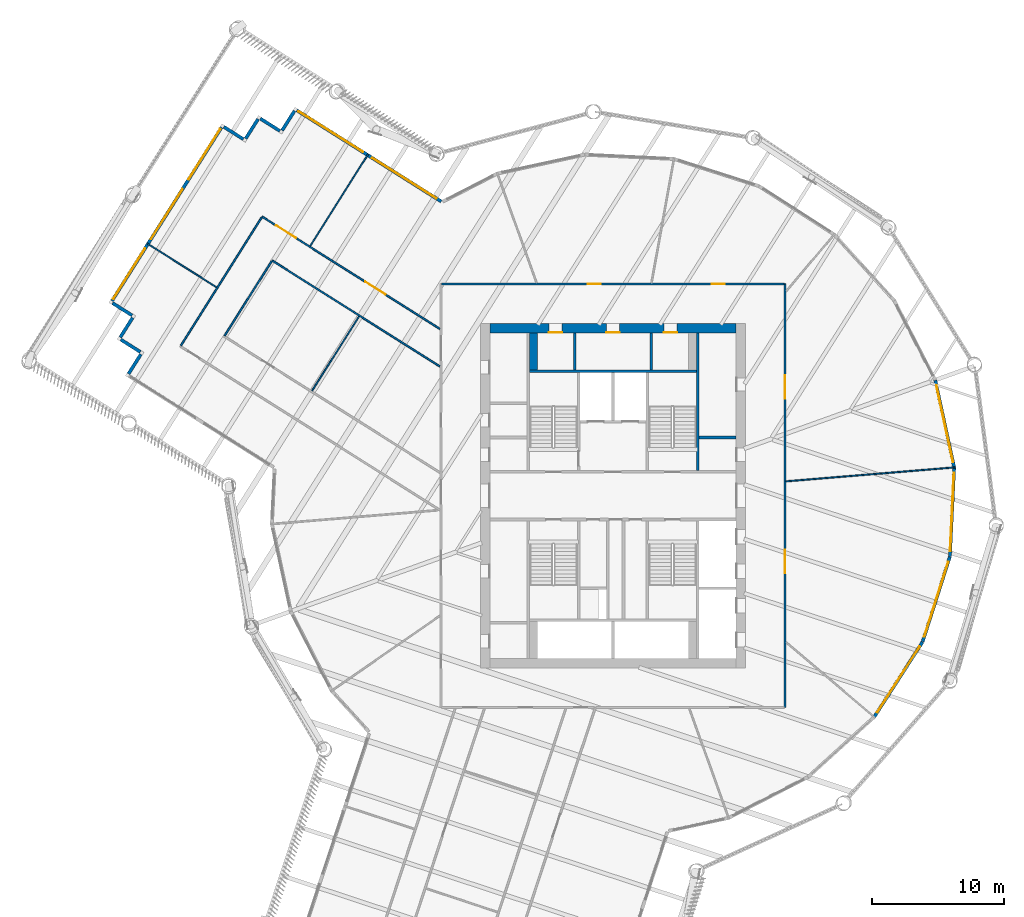
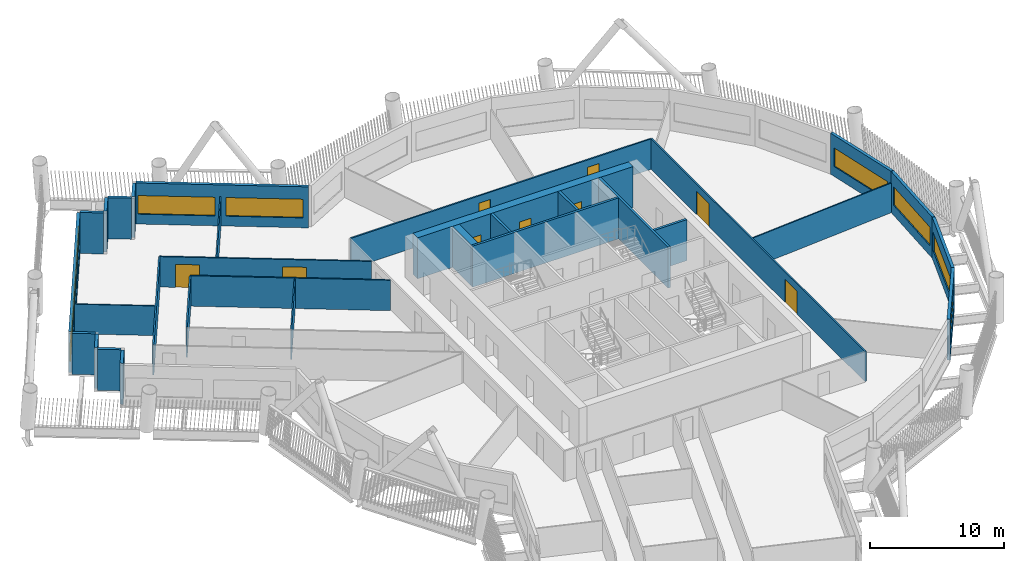
# One storey, part 6 of 22: 31 walls, 9 doors, 9 windows, 18 openings.
"""IFC4 building model written with IfcOpenShell, lengths in metres."""

from ifc_helpers import new_model, si_unit, direction, frame, frame_2d, origin, place, context, subcontext, project, spatial, rectangle, extrude, material, layer, layer_set, type_object, element, fill, save


model = new_model("IFC4")

# Units and contexts
model_context = context("Model", 3, precision=1e-05, world=origin(), true_north=direction((0.0, 1.0)))
body_context = subcontext(model_context, "Body", "Model", "MODEL_VIEW")
ifc_project = project(units=[si_unit("LENGTHUNIT", "METRE"), si_unit("AREAUNIT", "SQUARE_METRE"), si_unit("VOLUMEUNIT", "CUBIC_METRE"), si_unit("PLANEANGLEUNIT", "RADIAN"), si_unit("MASSUNIT", "GRAM", prefix="KILO")], contexts=[model_context])

# Site, building, storey
site_placement = place(None, origin())
site = spatial("IfcSite", under=ifc_project, at=site_placement, CompositionType="ELEMENT")
building_placement = place(site_placement, origin())
building = spatial("IfcBuilding", under=site, at=building_placement, Name="Tarsis Ring Headquarters", CompositionType="ELEMENT")
storey_placement = place(building_placement, frame((0.0, 0.0, 147.60009765625)))
storey = spatial("IfcBuildingStorey", under=building, at=storey_placement, Name="L33", CompositionType="ELEMENT", Elevation=147.60009765625)

# Walls
ifc_material_1 = material(Name="Blockwork", Category="masonry")
ifc_layer_1 = layer(ifc_material_1, 0.199951171875)
ifc_layer_set_1 = layer_set([ifc_layer_1], Name="Core blockwork wall 200")
wall_type_1 = type_object("IfcWallType", Name="Core blockwork wall 200", PredefinedType="PARTITIONING", material=ifc_layer_set_1)
for number, where, z_axis, x_axis, name in (
    (1, (6.5, 4.39990234375, 0.0), (0.0, 0.0, 1.0), (1.0, 0.0, 0.0), "Core partition ED5"),
    (2, (-2.89990234375, 9.5, 0.0), (0.0, 0.0, 1.0), (0.0, 1.0, 0.0), "Core partition ND1"),
    (3, (2.89990234375, 9.5, 0.0), (0.0, 0.0, 1.0), (0.0, 1.0, 0.0), "Core partition ND3"),
):
    element("IfcWall", number, at=place(storey_placement, frame(where, z_axis=z_axis, x_axis=x_axis)), inside=storey, type_object=wall_type_1, Name=name, PredefinedType="PARTITIONING", context=body_context, shape_type="SweptSolid", body=[
        extrude(rectangle(XDim=2.800048828125, YDim=0.199951171875, at=frame_2d((1.39990234375, 0.0))), origin(), (0.0, 0.0, 1.0), 3.739990234375),
    ])

# Wall, openings, doors
ifc_material_2 = material(Name="Concrete C60/75", Category="concrete")
ifc_layer_2 = layer(ifc_material_2, 0.699951171875)
ifc_layer_set_2 = layer_set([ifc_layer_2], Name="Core wall 700 C60/75")
wall_type_2 = type_object("IfcWallType", Name="Core wall 700 C60/75", PredefinedType="SHEAR", material=ifc_layer_set_2)
wall_1_placement = place(storey_placement, frame((-9.300048828125, 12.64990234375, 0.0), z_axis=(0.0, 0.0, 1.0), x_axis=(1.0, 0.0, 0.0)))
wall_1 = element("IfcWall", 4, at=wall_1_placement, inside=storey, type_object=wall_type_2, Name="Core wall ON", PredefinedType="SHEAR", context=body_context, shape_type="SweptSolid", body=[
    extrude(rectangle(XDim=18.60009765625, YDim=0.699951171875, at=frame_2d((9.300048828125, 0.0))), origin(), (0.0, 0.0, 1.0), 3.739990234375),
])
opening_1_placement = place(wall_1_placement, frame((4.449951171875, 0.0, 0.0)))
opening_1 = element("IfcOpeningElement", 5, at=opening_1_placement, cuts=wall_1, Name="Opening L33-C14", PredefinedType="OPENING", context=body_context, shape_type="SweptSolid", body=[
    extrude(rectangle(XDim=1.0, YDim=2.10009765625, at=frame_2d((0.5, 1.050048828125))), frame((0.0, 0.35986328125, 0.0), z_axis=(0.0, -1.0, 0.0), x_axis=(1.0, 0.0, 0.0)), (0.0, 0.0, 1.0), 0.719970703125),
])
opening_2_placement = place(wall_1_placement, frame((8.800048828125, 0.0, 0.0)))
opening_2 = element("IfcOpeningElement", 6, at=opening_2_placement, cuts=wall_1, Name="Opening L33-C15", PredefinedType="OPENING", context=body_context, shape_type="SweptSolid", body=[
    extrude(rectangle(XDim=1.0, YDim=2.10009765625, at=frame_2d((0.5, 1.050048828125))), frame((0.0, 0.35986328125, 0.0), z_axis=(0.0, -1.0, 0.0), x_axis=(1.0, 0.0, 0.0)), (0.0, 0.0, 1.0), 0.719970703125),
])
opening_3_placement = place(wall_1_placement, frame((13.14990234375, 0.0, 0.0)))
opening_3 = element("IfcOpeningElement", 7, at=opening_3_placement, cuts=wall_1, Name="Opening L33-C16", PredefinedType="OPENING", context=body_context, shape_type="SweptSolid", body=[
    extrude(rectangle(XDim=1.0, YDim=2.10009765625, at=frame_2d((0.5, 1.050048828125))), frame((0.0, 0.35986328125, 0.0), z_axis=(0.0, -1.0, 0.0), x_axis=(1.0, 0.0, 0.0)), (0.0, 0.0, 1.0), 0.719970703125),
])
ifc_material_3 = material(Name="Steel S355", Category="steel")
door_type_1 = type_object("IfcDoorType", Name="Core room door 1000x2100", OperationType="SINGLE_SWING_LEFT", PredefinedType="DOOR", material=ifc_material_3)
door_1_placement = place(opening_1_placement, origin())
door_1 = element("IfcDoor", 8, at=door_1_placement, inside=storey, type_object=door_type_1, Name="Core room door L33", OperationType="SINGLE_SWING_LEFT", OverallHeight=2.10009765625, OverallWidth=1.0, PredefinedType="DOOR", context=body_context, shape_type="SweptSolid", body=[
    extrude(rectangle(XDim=1.0, YDim=2.10009765625, at=frame_2d((0.5, 1.050048828125))), frame((0.0, -0.2998046875, 0.0), z_axis=(0.0, -1.0, 0.0), x_axis=(1.0, 0.0, 0.0)), (0.0, 0.0, 1.0), 0.050048828125),
])
fill(opening_1, door_1)
door_2_placement = place(opening_2_placement, origin())
door_2 = element("IfcDoor", 9, at=door_2_placement, inside=storey, type_object=door_type_1, Name="Core room door L33", OperationType="SINGLE_SWING_LEFT", OverallHeight=2.10009765625, OverallWidth=1.0, PredefinedType="DOOR", context=body_context, shape_type="SweptSolid", body=[
    extrude(rectangle(XDim=1.0, YDim=2.10009765625, at=frame_2d((0.5, 1.050048828125))), frame((0.0, -0.2998046875, 0.0), z_axis=(0.0, -1.0, 0.0), x_axis=(1.0, 0.0, 0.0)), (0.0, 0.0, 1.0), 0.050048828125),
])
fill(opening_2, door_2)
door_3_placement = place(opening_3_placement, origin())
door_3 = element("IfcDoor", 10, at=door_3_placement, inside=storey, type_object=door_type_1, Name="Core room door L33", OperationType="SINGLE_SWING_LEFT", OverallHeight=2.10009765625, OverallWidth=1.0, PredefinedType="DOOR", context=body_context, shape_type="SweptSolid", body=[
    extrude(rectangle(XDim=1.0, YDim=2.10009765625, at=frame_2d((0.5, 1.050048828125))), frame((0.0, -0.2998046875, 0.0), z_axis=(0.0, -1.0, 0.0), x_axis=(1.0, 0.0, 0.0)), (0.0, 0.0, 1.0), 0.050048828125),
])
fill(opening_3, door_3)

# Walls
ifc_material_4 = material(Name="Gypsum board on steel studs", Category="steel")
ifc_layer_3 = layer(ifc_material_4, 0.10009765625)
ifc_layer_set_3 = layer_set([ifc_layer_3], Name="FL partition 100 unrated")
wall_type_3 = type_object("IfcWallType", Name="FL partition 100 unrated", PredefinedType="PARTITIONING", material=ifc_layer_set_3)
wall_2_placement = place(storey_placement, frame((13.06982421875, 1.083740234375, 0.0), z_axis=(0.0, 0.0, 1.0), x_axis=(0.996579394743, 0.082640849303, 0.0)))
element("IfcWall", 11, at=wall_2_placement, inside=storey, type_object=wall_type_3, Name="Partition PW3", PredefinedType="PARTITIONING", context=body_context, shape_type="SweptSolid", body=[
    extrude(rectangle(XDim=12.833251953125, YDim=0.10009765625, at=frame_2d((6.41650390625, 0.0))), origin(), (0.0, 0.0, 1.0), 2.699951171875),
])
wall_3_placement = place(storey_placement, frame((-22.876953125, 18.87451171875, 0.0), z_axis=(0.0, 0.0, 1.0), x_axis=(0.53377789799, 0.845624713225, 0.0)))
element("IfcWall", 12, at=wall_3_placement, inside=storey, type_object=wall_type_3, Name="Partition PW3", PredefinedType="PARTITIONING", context=body_context, shape_type="SweptSolid", body=[
    extrude(rectangle(XDim=8.199951171875, YDim=0.10009765625, at=frame_2d((4.10009765625, 0.0))), origin(), (0.0, 0.0, 1.0), 2.699951171875),
])
wall_4_placement = place(storey_placement, frame((-22.73681640625, 7.930419921875, 0.0), z_axis=(0.0, 0.0, 1.0), x_axis=(0.533764717531, 0.845633032892, 0.0)))
element("IfcWall", 13, at=wall_4_placement, inside=storey, type_object=wall_type_3, Name="Partition PW3", PredefinedType="PARTITIONING", context=body_context, shape_type="SweptSolid", body=[
    extrude(rectangle(XDim=6.639892578125, YDim=0.10009765625, at=frame_2d((3.31982421875, 0.0))), origin(), (0.0, 0.0, 1.0), 2.699951171875),
])
wall_5_placement = place(storey_placement, frame((-35.208251953125, 19.06591796875, 0.0), z_axis=(0.0, 0.0, 1.0), x_axis=(0.845635538115, -0.533760748535, 0.0)))
element("IfcWall", 14, at=wall_5_placement, inside=storey, type_object=wall_type_3, Name="Partition PW3", PredefinedType="PARTITIONING", context=body_context, shape_type="SweptSolid", body=[
    extrude(rectangle(XDim=6.2099609375, YDim=0.10009765625, at=frame_2d((3.10498046875, 0.0))), origin(), (0.0, 0.0, 1.0), 2.699951171875),
])

# Wall, openings, doors
ifc_layer_4 = layer(ifc_material_4, 0.125)
ifc_layer_set_4 = layer_set([ifc_layer_4], Name="FL partition 125 EI 60 H2770")
wall_type_4 = type_object("IfcWallType", Name="FL partition 125 EI 60 H2770", PredefinedType="PARTITIONING", material=ifc_layer_set_4)
wall_6_placement = place(storey_placement, frame((13.0, -16.0, 0.0), z_axis=(0.0, 0.0, 1.0), x_axis=(0.0, 1.0, 0.0)))
wall_6 = element("IfcWall", 15, at=wall_6_placement, inside=storey, type_object=wall_type_4, Name="Partition PW1", PredefinedType="PARTITIONING", context=body_context, shape_type="SweptSolid", body=[
    extrude(rectangle(XDim=32.0, YDim=0.125, at=frame_2d((16.0, 0.0))), origin(), (0.0, 0.0, 1.0), 2.77001953125),
])
opening_4_placement = place(wall_6_placement, frame((23.314453125, 0.0, 0.0)))
opening_4 = element("IfcOpeningElement", 16, at=opening_4_placement, cuts=wall_6, Name="Opening D33.06", PredefinedType="OPENING", context=body_context, shape_type="SweptSolid", body=[
    extrude(rectangle(XDim=1.800048828125, YDim=2.10009765625, at=frame_2d((0.89990234375, 1.050048828125))), frame((0.0, 0.072509765625, 0.0), z_axis=(0.0, -1.0, 0.0), x_axis=(1.0, 0.0, 0.0)), (0.0, 0.0, 1.0), 0.14501953125),
])
opening_5_placement = place(wall_6_placement, frame((10.134521484375, 0.0, 0.0)))
opening_5 = element("IfcOpeningElement", 17, at=opening_5_placement, cuts=wall_6, Name="Opening D33.07", PredefinedType="OPENING", context=body_context, shape_type="SweptSolid", body=[
    extrude(rectangle(XDim=1.800048828125, YDim=2.10009765625, at=frame_2d((0.89990234375, 1.050048828125))), frame((0.0, 0.072509765625, 0.0), z_axis=(0.0, -1.0, 0.0), x_axis=(1.0, 0.0, 0.0)), (0.0, 0.0, 1.0), 0.14501953125),
])
ifc_material_5 = material(Name="Fire-rated timber door leaf in steel frame", Category="steel")
door_type_2 = type_object("IfcDoorType", Name="FL door FD60-1800", OperationType="DOUBLE_DOOR_SINGLE_SWING", PredefinedType="DOOR", material=ifc_material_5)
door_4_placement = place(opening_4_placement, origin())
door_4 = element("IfcDoor", 18, at=door_4_placement, inside=storey, type_object=door_type_2, Name="Door D33.06", OperationType="DOUBLE_DOOR_SINGLE_SWING", OverallHeight=2.10009765625, OverallWidth=1.800048828125, PredefinedType="DOOR", context=body_context, shape_type="SweptSolid", body=[
    extrude(rectangle(XDim=1.800048828125, YDim=2.10009765625, at=frame_2d((0.89990234375, 1.050048828125))), frame((0.0, 0.02490234375, 0.0), z_axis=(0.0, -1.0, 0.0), x_axis=(1.0, 0.0, 0.0)), (0.0, 0.0, 1.0), 0.050048828125),
])
fill(opening_4, door_4)
door_5_placement = place(opening_5_placement, origin())
door_5 = element("IfcDoor", 19, at=door_5_placement, inside=storey, type_object=door_type_2, Name="Door D33.07", OperationType="DOUBLE_DOOR_SINGLE_SWING", OverallHeight=2.10009765625, OverallWidth=1.800048828125, PredefinedType="DOOR", context=body_context, shape_type="SweptSolid", body=[
    extrude(rectangle(XDim=1.800048828125, YDim=2.10009765625, at=frame_2d((0.89990234375, 1.050048828125))), frame((0.0, 0.02490234375, 0.0), z_axis=(0.0, -1.0, 0.0), x_axis=(1.0, 0.0, 0.0)), (0.0, 0.0, 1.0), 0.050048828125),
])
fill(opening_5, door_5)

wall_7_placement = place(storey_placement, frame((-12.93994140625, 16.0, 0.0), z_axis=(0.0, 0.0, 1.0), x_axis=(1.0, 0.0, 0.0)))
wall_7 = element("IfcWall", 20, at=wall_7_placement, inside=storey, type_object=wall_type_4, Name="Partition PW1", PredefinedType="PARTITIONING", context=body_context, shape_type="SweptSolid", body=[
    extrude(rectangle(XDim=25.8798828125, YDim=0.125, at=frame_2d((12.93994140625, 0.0))), origin(), (0.0, 0.0, 1.0), 2.77001953125),
])
opening_6_placement = place(wall_7_placement, frame((11.017333984375, 0.0, 0.0)))
opening_6 = element("IfcOpeningElement", 21, at=opening_6_placement, cuts=wall_7, Name="Opening D33.04", PredefinedType="OPENING", context=body_context, shape_type="SweptSolid", body=[
    extrude(rectangle(XDim=1.0, YDim=2.10009765625, at=frame_2d((0.5, 1.050048828125))), frame((0.0, 0.072509765625, 0.0), z_axis=(0.0, -1.0, 0.0), x_axis=(1.0, 0.0, 0.0)), (0.0, 0.0, 1.0), 0.14501953125),
])
opening_7_placement = place(wall_7_placement, frame((20.38818359375, 0.0, 0.0)))
opening_7 = element("IfcOpeningElement", 22, at=opening_7_placement, cuts=wall_7, Name="Opening D33.05", PredefinedType="OPENING", context=body_context, shape_type="SweptSolid", body=[
    extrude(rectangle(XDim=1.0, YDim=2.10009765625, at=frame_2d((0.5, 1.050048828125))), frame((0.0, 0.072509765625, 0.0), z_axis=(0.0, -1.0, 0.0), x_axis=(1.0, 0.0, 0.0)), (0.0, 0.0, 1.0), 0.14501953125),
])
door_type_3 = type_object("IfcDoorType", Name="FL door FD60-1000", OperationType="NOTDEFINED", PredefinedType="DOOR", material=ifc_material_5)
door_6_placement = place(opening_6_placement, origin())
door_6 = element("IfcDoor", 23, at=door_6_placement, inside=storey, type_object=door_type_3, Name="Door D33.04", OperationType="SINGLE_SWING_LEFT", OverallHeight=2.10009765625, OverallWidth=1.0, PredefinedType="DOOR", context=body_context, shape_type="SweptSolid", body=[
    extrude(rectangle(XDim=1.0, YDim=2.10009765625, at=frame_2d((0.5, 1.050048828125))), frame((0.0, 0.02490234375, 0.0), z_axis=(0.0, -1.0, 0.0), x_axis=(1.0, 0.0, 0.0)), (0.0, 0.0, 1.0), 0.050048828125),
])
fill(opening_6, door_6)
door_7_placement = place(opening_7_placement, origin())
door_7 = element("IfcDoor", 24, at=door_7_placement, inside=storey, type_object=door_type_3, Name="Door D33.05", OperationType="SINGLE_SWING_RIGHT", OverallHeight=2.10009765625, OverallWidth=1.0, PredefinedType="DOOR", context=body_context, shape_type="SweptSolid", body=[
    extrude(rectangle(XDim=1.0, YDim=2.10009765625, at=frame_2d((0.5, 1.050048828125))), frame((0.0, 0.02490234375, 0.0), z_axis=(0.0, -1.0, 0.0), x_axis=(1.0, 0.0, 0.0)), (0.0, 0.0, 1.0), 0.050048828125),
])
fill(opening_7, door_7)

wall_8_placement = place(storey_placement, frame((-26.50830078125, 21.083740234375, 0.0), z_axis=(0.0, 0.0, 1.0), x_axis=(0.845628480238, -0.533771930145, 0.0)))
wall_8 = element("IfcWall", 25, at=wall_8_placement, inside=storey, type_object=wall_type_4, Name="Partition PW1", PredefinedType="PARTITIONING", context=body_context, shape_type="SweptSolid", body=[
    extrude(rectangle(XDim=15.8740234375, YDim=0.125, at=frame_2d((7.93701171875, 0.0))), origin(), (0.0, 0.0, 1.0), 2.77001953125),
])
opening_8_placement = place(wall_8_placement, frame((1.222900390625, 0.0, 0.0)))
opening_8 = element("IfcOpeningElement", 26, at=opening_8_placement, cuts=wall_8, Name="Opening D33.02", PredefinedType="OPENING", context=body_context, shape_type="SweptSolid", body=[
    extrude(rectangle(XDim=1.800048828125, YDim=2.10009765625, at=frame_2d((0.89990234375, 1.050048828125))), frame((0.0, 0.072509765625, 0.0), z_axis=(0.0, -1.0, 0.0), x_axis=(1.0, 0.0, 0.0)), (0.0, 0.0, 1.0), 0.14501953125),
])
opening_9_placement = place(wall_8_placement, frame((9.2099609375, 0.0, 0.0)))
opening_9 = element("IfcOpeningElement", 27, at=opening_9_placement, cuts=wall_8, Name="Opening D33.03", PredefinedType="OPENING", context=body_context, shape_type="SweptSolid", body=[
    extrude(rectangle(XDim=1.800048828125, YDim=2.10009765625, at=frame_2d((0.89990234375, 1.050048828125))), frame((0.0, 0.072509765625, 0.0), z_axis=(0.0, -1.0, 0.0), x_axis=(1.0, 0.0, 0.0)), (0.0, 0.0, 1.0), 0.14501953125),
])
door_8_placement = place(opening_8_placement, origin())
door_8 = element("IfcDoor", 28, at=door_8_placement, inside=storey, type_object=door_type_2, Name="Door D33.02", OperationType="DOUBLE_DOOR_SINGLE_SWING", OverallHeight=2.10009765625, OverallWidth=1.800048828125, PredefinedType="DOOR", context=body_context, shape_type="SweptSolid", body=[
    extrude(rectangle(XDim=1.800048828125, YDim=2.10009765625, at=frame_2d((0.89990234375, 1.050048828125))), frame((0.0, 0.02490234375, 0.0), z_axis=(0.0, -1.0, 0.0), x_axis=(1.0, 0.0, 0.0)), (0.0, 0.0, 1.0), 0.050048828125),
])
fill(opening_8, door_8)
door_9_placement = place(opening_9_placement, origin())
door_9 = element("IfcDoor", 29, at=door_9_placement, inside=storey, type_object=door_type_2, Name="Door D33.03", OperationType="DOUBLE_DOOR_SINGLE_SWING", OverallHeight=2.10009765625, OverallWidth=1.800048828125, PredefinedType="DOOR", context=body_context, shape_type="SweptSolid", body=[
    extrude(rectangle(XDim=1.800048828125, YDim=2.10009765625, at=frame_2d((0.89990234375, 1.050048828125))), frame((0.0, 0.02490234375, 0.0), z_axis=(0.0, -1.0, 0.0), x_axis=(1.0, 0.0, 0.0)), (0.0, 0.0, 1.0), 0.050048828125),
])
fill(opening_9, door_9)

# Walls
wall_9_placement = place(storey_placement, frame((-25.759765625, 17.773193359375, 0.0), z_axis=(0.0, 0.0, 1.0), x_axis=(0.84563362715, -0.53376377606, 0.0)))
element("IfcWall", 30, at=wall_9_placement, inside=storey, type_object=wall_type_4, Name="Partition PW1", PredefinedType="PARTITIONING", context=body_context, shape_type="SweptSolid", body=[
    extrude(rectangle(XDim=14.98876953125, YDim=0.125, at=frame_2d((7.494384765625, 0.0))), origin(), (0.0, 0.0, 1.0), 2.77001953125),
])
wall_10_placement = place(storey_placement, frame((-32.6572265625, 11.342041015625, 0.0), z_axis=(0.0, 0.0, 1.0), x_axis=(0.533766139674, 0.845632135232, 0.0)))
element("IfcWall", 31, at=wall_10_placement, inside=storey, type_object=wall_type_4, Name="Partition PW1", PredefinedType="PARTITIONING", context=body_context, shape_type="SweptSolid", body=[
    extrude(rectangle(XDim=11.4599609375, YDim=0.125, at=frame_2d((5.72998046875, 0.0))), origin(), (0.0, 0.0, 1.0), 2.77001953125),
])
wall_11_placement = place(storey_placement, frame((-29.3466796875, 12.090576171875, 0.0), z_axis=(0.0, 0.0, 1.0), x_axis=(0.533776437894, 0.84562563487, 0.0)))
element("IfcWall", 32, at=wall_11_placement, inside=storey, type_object=wall_type_4, Name="Partition PW1", PredefinedType="PARTITIONING", context=body_context, shape_type="SweptSolid", body=[
    extrude(rectangle(XDim=6.659912109375, YDim=0.125, at=frame_2d((3.330078125, 0.0))), origin(), (0.0, 0.0, 1.0), 2.77001953125),
])

# Wall, opening, window
ifc_material_6 = material(Name="Terracotta clad insulated panel wall", Category="masonry")
ifc_layer_5 = layer(ifc_material_6, 0.25)
ifc_layer_set_5 = layer_set([ifc_layer_5], Name="Facade wall terracotta panel 250")
wall_type_5 = type_object("IfcWallType", Name="Facade wall terracotta panel 250", PredefinedType="STANDARD", material=ifc_layer_set_5)
wall_12_placement = place(storey_placement, frame((19.75390625, -16.707275390625, 0.0), z_axis=(0.0, 0.0, 1.0), x_axis=(0.541106352216, 0.840954169733, 0.0)))
wall_12 = element("IfcWall", 33, at=wall_12_placement, inside=storey, type_object=wall_type_5, Name="External wall L33-20", PredefinedType="STANDARD", context=body_context, shape_type="SweptSolid", body=[
    extrude(rectangle(XDim=6.721435546875, YDim=0.25, at=frame_2d((3.36083984375, 0.0))), origin(), (0.0, 0.0, 1.0), 3.739990234375),
])
opening_10_placement = place(wall_12_placement, frame((0.3857421875, 0.0, 0.89990234375)))
opening_10 = element("IfcOpeningElement", 34, at=opening_10_placement, cuts=wall_12, Name="Opening WN07", PredefinedType="OPENING", context=body_context, shape_type="SweptSolid", body=[
    extrude(rectangle(XDim=5.949951171875, YDim=1.699951171875, at=frame_2d((2.97509765625, 0.85009765625))), frame((0.0, 0.135009765625, 0.0), z_axis=(0.0, -1.0, 0.0), x_axis=(1.0, 0.0, 0.0)), (0.0, 0.0, 1.0), 0.27001953125),
])
ifc_material_7 = material(Name="Aluminium framed double glazing", Category="aluminium")
window_type_1 = type_object("IfcWindowType", Name="Facade window 5950 x 1700", PartitioningType="SINGLE_PANEL", PredefinedType="WINDOW", material=ifc_material_7)
window_1_placement = place(opening_10_placement, origin())
window_1 = element("IfcWindow", 35, at=window_1_placement, inside=storey, type_object=window_type_1, Name="Window L33-20.1", OverallHeight=1.699951171875, OverallWidth=5.949951171875, PartitioningType="SINGLE_PANEL", PredefinedType="WINDOW", context=body_context, shape_type="SweptSolid", body=[
    extrude(rectangle(XDim=5.949951171875, YDim=1.699951171875, at=frame_2d((2.97509765625, 0.85009765625))), frame((0.0, 0.030029296875, 0.0), z_axis=(0.0, -1.0, 0.0), x_axis=(1.0, 0.0, 0.0)), (0.0, 0.0, 1.0), 0.06005859375),
])
fill(opening_10, window_1)

wall_13_placement = place(storey_placement, frame((23.40478515625, -11.025390625, 0.0), z_axis=(0.0, 0.0, 1.0), x_axis=(0.305036668581, 0.952340606517, 0.0)))
wall_13 = element("IfcWall", 36, at=wall_13_placement, inside=storey, type_object=wall_type_5, Name="External wall L33-21", PredefinedType="STANDARD", context=body_context, shape_type="SweptSolid", body=[
    extrude(rectangle(XDim=6.721435546875, YDim=0.25, at=frame_2d((3.36083984375, 0.0))), origin(), (0.0, 0.0, 1.0), 3.739990234375),
])
opening_11_placement = place(wall_13_placement, frame((0.3857421875, 0.0, 0.89990234375)))
opening_11 = element("IfcOpeningElement", 37, at=opening_11_placement, cuts=wall_13, Name="Opening WN07", PredefinedType="OPENING", context=body_context, shape_type="SweptSolid", body=[
    extrude(rectangle(XDim=5.949951171875, YDim=1.699951171875, at=frame_2d((2.97509765625, 0.85009765625))), frame((0.0, 0.135009765625, 0.0), z_axis=(0.0, -1.0, 0.0), x_axis=(1.0, 0.0, 0.0)), (0.0, 0.0, 1.0), 0.27001953125),
])
window_2_placement = place(opening_11_placement, origin())
window_2 = element("IfcWindow", 38, at=window_2_placement, inside=storey, type_object=window_type_1, Name="Window L33-21.1", OverallHeight=1.699951171875, OverallWidth=5.949951171875, PartitioningType="SINGLE_PANEL", PredefinedType="WINDOW", context=body_context, shape_type="SweptSolid", body=[
    extrude(rectangle(XDim=5.949951171875, YDim=1.699951171875, at=frame_2d((2.97509765625, 0.85009765625))), frame((0.0, 0.030029296875, 0.0), z_axis=(0.0, -1.0, 0.0), x_axis=(1.0, 0.0, 0.0)), (0.0, 0.0, 1.0), 0.06005859375),
])
fill(opening_11, window_2)

wall_14_placement = place(storey_placement, frame((25.4609375, -4.592041015625, 0.0), z_axis=(0.0, 0.0, 1.0), x_axis=(0.048163973258, 0.998839442393, 0.0)))
wall_14 = element("IfcWall", 39, at=wall_14_placement, inside=storey, type_object=wall_type_5, Name="External wall L33-22", PredefinedType="STANDARD", context=body_context, shape_type="SweptSolid", body=[
    extrude(rectangle(XDim=6.721435546875, YDim=0.25, at=frame_2d((3.36083984375, 0.0))), origin(), (0.0, 0.0, 1.0), 3.739990234375),
])
opening_12_placement = place(wall_14_placement, frame((0.3857421875, 0.0, 0.89990234375)))
opening_12 = element("IfcOpeningElement", 40, at=opening_12_placement, cuts=wall_14, Name="Opening WN07", PredefinedType="OPENING", context=body_context, shape_type="SweptSolid", body=[
    extrude(rectangle(XDim=5.949951171875, YDim=1.699951171875, at=frame_2d((2.97509765625, 0.85009765625))), frame((0.0, 0.135009765625, 0.0), z_axis=(0.0, -1.0, 0.0), x_axis=(1.0, 0.0, 0.0)), (0.0, 0.0, 1.0), 0.27001953125),
])
window_3_placement = place(opening_12_placement, origin())
window_3 = element("IfcWindow", 41, at=window_3_placement, inside=storey, type_object=window_type_1, Name="Window L33-22.1", OverallHeight=1.699951171875, OverallWidth=5.949951171875, PartitioningType="SINGLE_PANEL", PredefinedType="WINDOW", context=body_context, shape_type="SweptSolid", body=[
    extrude(rectangle(XDim=5.949951171875, YDim=1.699951171875, at=frame_2d((2.97509765625, 0.85009765625))), frame((0.0, 0.030029296875, 0.0), z_axis=(0.0, -1.0, 0.0), x_axis=(1.0, 0.0, 0.0)), (0.0, 0.0, 1.0), 0.06005859375),
])
fill(opening_12, window_3)

wall_15_placement = place(storey_placement, frame((25.781982421875, 2.154052734375, 0.0), z_axis=(0.0, 0.0, 1.0), x_axis=(-0.212008910902, 0.977267732865, 0.0)))
wall_15 = element("IfcWall", 42, at=wall_15_placement, inside=storey, type_object=wall_type_5, Name="External wall L33-23", PredefinedType="STANDARD", context=body_context, shape_type="SweptSolid", body=[
    extrude(rectangle(XDim=6.7216796875, YDim=0.25, at=frame_2d((3.36083984375, 0.0))), origin(), (0.0, 0.0, 1.0), 3.739990234375),
])
opening_13_placement = place(wall_15_placement, frame((0.3857421875, 0.0, 0.89990234375)))
opening_13 = element("IfcOpeningElement", 43, at=opening_13_placement, cuts=wall_15, Name="Opening WN07", PredefinedType="OPENING", context=body_context, shape_type="SweptSolid", body=[
    extrude(rectangle(XDim=5.949951171875, YDim=1.699951171875, at=frame_2d((2.97509765625, 0.85009765625))), frame((0.0, 0.135009765625, 0.0), z_axis=(0.0, -1.0, 0.0), x_axis=(1.0, 0.0, 0.0)), (0.0, 0.0, 1.0), 0.27001953125),
])
window_4_placement = place(opening_13_placement, origin())
window_4 = element("IfcWindow", 44, at=window_4_placement, inside=storey, type_object=window_type_1, Name="Window L33-23.1", OverallHeight=1.699951171875, OverallWidth=5.949951171875, PartitioningType="SINGLE_PANEL", PredefinedType="WINDOW", context=body_context, shape_type="SweptSolid", body=[
    extrude(rectangle(XDim=5.949951171875, YDim=1.699951171875, at=frame_2d((2.97509765625, 0.85009765625))), frame((0.0, 0.030029296875, 0.0), z_axis=(0.0, -1.0, 0.0), x_axis=(1.0, 0.0, 0.0)), (0.0, 0.0, 1.0), 0.06005859375),
])
fill(opening_13, window_4)

# Wall, openings, windows
wall_16_placement = place(storey_placement, frame((-12.983154296875, 22.23779296875, 0.0), z_axis=(0.0, 0.0, 1.0), x_axis=(-0.845637261098, 0.533758018809, 0.0)))
wall_16 = element("IfcWall", 45, at=wall_16_placement, inside=storey, type_object=wall_type_5, Name="External wall L33-31", PredefinedType="STANDARD", context=body_context, shape_type="SweptSolid", body=[
    extrude(rectangle(XDim=12.9013671875, YDim=0.25, at=frame_2d((6.45068359375, 0.0))), origin(), (0.0, 0.0, 1.0), 3.739990234375),
])
opening_14_placement = place(wall_16_placement, frame((0.412841796875, 0.0, 0.89990234375)))
opening_14 = element("IfcOpeningElement", 46, at=opening_14_placement, cuts=wall_16, Name="Opening WN06", PredefinedType="OPENING", context=body_context, shape_type="SweptSolid", body=[
    extrude(rectangle(XDim=5.75, YDim=1.699951171875, at=frame_2d((2.875, 0.85009765625))), frame((0.0, 0.135009765625, 0.0), z_axis=(0.0, -1.0, 0.0), x_axis=(1.0, 0.0, 0.0)), (0.0, 0.0, 1.0), 0.27001953125),
])
opening_15_placement = place(wall_16_placement, frame((6.988525390625, 0.0, 0.89990234375)))
opening_15 = element("IfcOpeningElement", 47, at=opening_15_placement, cuts=wall_16, Name="Opening WN06", PredefinedType="OPENING", context=body_context, shape_type="SweptSolid", body=[
    extrude(rectangle(XDim=5.75, YDim=1.699951171875, at=frame_2d((2.875, 0.85009765625))), frame((0.0, 0.135009765625, 0.0), z_axis=(0.0, -1.0, 0.0), x_axis=(1.0, 0.0, 0.0)), (0.0, 0.0, 1.0), 0.27001953125),
])
window_type_2 = type_object("IfcWindowType", Name="Facade window 5750 x 1700", PartitioningType="SINGLE_PANEL", PredefinedType="WINDOW", material=ifc_material_7)
window_5_placement = place(opening_14_placement, origin())
window_5 = element("IfcWindow", 48, at=window_5_placement, inside=storey, type_object=window_type_2, Name="Window L33-31.1", OverallHeight=1.699951171875, OverallWidth=5.75, PartitioningType="SINGLE_PANEL", PredefinedType="WINDOW", context=body_context, shape_type="SweptSolid", body=[
    extrude(rectangle(XDim=5.75, YDim=1.699951171875, at=frame_2d((2.875, 0.85009765625))), frame((0.0, 0.030029296875, 0.0), z_axis=(0.0, -1.0, 0.0), x_axis=(1.0, 0.0, 0.0)), (0.0, 0.0, 1.0), 0.06005859375),
])
fill(opening_14, window_5)
window_6_placement = place(opening_15_placement, origin())
window_6 = element("IfcWindow", 49, at=window_6_placement, inside=storey, type_object=window_type_2, Name="Window L33-31.2", OverallHeight=1.699951171875, OverallWidth=5.75, PartitioningType="SINGLE_PANEL", PredefinedType="WINDOW", context=body_context, shape_type="SweptSolid", body=[
    extrude(rectangle(XDim=5.75, YDim=1.699951171875, at=frame_2d((2.875, 0.85009765625))), frame((0.0, 0.030029296875, 0.0), z_axis=(0.0, -1.0, 0.0), x_axis=(1.0, 0.0, 0.0)), (0.0, 0.0, 1.0), 0.06005859375),
])
fill(opening_15, window_6)

# Walls
for number, where, z_axis, x_axis, name in (
    (50, (-24.0654296875, 29.0849609375, 0.0), (0.0, 0.0, 1.0), (-0.533730538184, -0.845654605977, 0.0), "External wall L33-32"),
    (51, (-25.171875, 27.566162109375, 0.0), (0.0, 0.0, 1.0), (-0.845654605977, 0.533730538184, 0.0), "External wall L33-33"),
    (52, (-26.82421875, 28.461181640625, 0.0), (0.0, 0.0, 1.0), (-0.533730538184, -0.845654605977, 0.0), "External wall L33-34"),
    (53, (-27.9306640625, 26.9423828125, 0.0), (0.0, 0.0, 1.0), (-0.845654605977, 0.533730538184, 0.0), "External wall L33-35"),
):
    element("IfcWall", number, at=place(storey_placement, frame(where, z_axis=z_axis, x_axis=x_axis)), inside=storey, type_object=wall_type_5, Name=name, PredefinedType="STANDARD", context=body_context, shape_type="SweptSolid", body=[
        extrude(rectangle(XDim=1.75, YDim=0.25, at=frame_2d((0.875, 0.0))), origin(), (0.0, 0.0, 1.0), 3.739990234375),
    ])

# Wall, openings, windows
wall_17_placement = place(storey_placement, frame((-29.5830078125, 27.83740234375, 0.0), z_axis=(0.0, 0.0, 1.0), x_axis=(-0.533765410993, -0.845632595178, 0.0)))
wall_17 = element("IfcWall", 54, at=wall_17_placement, inside=storey, type_object=wall_type_5, Name="External wall L33-36", PredefinedType="STANDARD", context=body_context, shape_type="SweptSolid", body=[
    extrude(rectangle(XDim=15.500244140625, YDim=0.25, at=frame_2d((7.75, 0.0))), origin(), (0.0, 0.0, 1.0), 3.739990234375),
])
opening_16_placement = place(wall_17_placement, frame((0.166748046875, 0.0, 0.89990234375)))
opening_16 = element("IfcOpeningElement", 55, at=opening_16_placement, cuts=wall_17, Name="Opening WN04", PredefinedType="OPENING", context=body_context, shape_type="SweptSolid", body=[
    extrude(rectangle(XDim=4.5, YDim=1.699951171875, at=frame_2d((2.25, 0.85009765625))), frame((0.0, 0.135009765625, 0.0), z_axis=(0.0, -1.0, 0.0), x_axis=(1.0, 0.0, 0.0)), (0.0, 0.0, 1.0), 0.27001953125),
])
opening_17_placement = place(wall_17_placement, frame((5.5, 0.0, 0.89990234375)))
opening_17 = element("IfcOpeningElement", 56, at=opening_17_placement, cuts=wall_17, Name="Opening WN04", PredefinedType="OPENING", context=body_context, shape_type="SweptSolid", body=[
    extrude(rectangle(XDim=4.5, YDim=1.699951171875, at=frame_2d((2.25, 0.85009765625))), frame((0.0, 0.135009765625, 0.0), z_axis=(0.0, -1.0, 0.0), x_axis=(1.0, 0.0, 0.0)), (0.0, 0.0, 1.0), 0.27001953125),
])
opening_18_placement = place(wall_17_placement, frame((10.833251953125, 0.0, 0.89990234375)))
opening_18 = element("IfcOpeningElement", 57, at=opening_18_placement, cuts=wall_17, Name="Opening WN04", PredefinedType="OPENING", context=body_context, shape_type="SweptSolid", body=[
    extrude(rectangle(XDim=4.5, YDim=1.699951171875, at=frame_2d((2.25, 0.85009765625))), frame((0.0, 0.135009765625, 0.0), z_axis=(0.0, -1.0, 0.0), x_axis=(1.0, 0.0, 0.0)), (0.0, 0.0, 1.0), 0.27001953125),
])
window_type_3 = type_object("IfcWindowType", Name="Facade window 4500 x 1700", PartitioningType="SINGLE_PANEL", PredefinedType="WINDOW", material=ifc_material_7)
window_7_placement = place(opening_16_placement, origin())
window_7 = element("IfcWindow", 58, at=window_7_placement, inside=storey, type_object=window_type_3, Name="Window L33-36.1", OverallHeight=1.699951171875, OverallWidth=4.5, PartitioningType="SINGLE_PANEL", PredefinedType="WINDOW", context=body_context, shape_type="SweptSolid", body=[
    extrude(rectangle(XDim=4.5, YDim=1.699951171875, at=frame_2d((2.25, 0.85009765625))), frame((0.0, 0.030029296875, 0.0), z_axis=(0.0, -1.0, 0.0), x_axis=(1.0, 0.0, 0.0)), (0.0, 0.0, 1.0), 0.06005859375),
])
fill(opening_16, window_7)
window_8_placement = place(opening_17_placement, origin())
window_8 = element("IfcWindow", 59, at=window_8_placement, inside=storey, type_object=window_type_3, Name="Window L33-36.2", OverallHeight=1.699951171875, OverallWidth=4.5, PartitioningType="SINGLE_PANEL", PredefinedType="WINDOW", context=body_context, shape_type="SweptSolid", body=[
    extrude(rectangle(XDim=4.5, YDim=1.699951171875, at=frame_2d((2.25, 0.85009765625))), frame((0.0, 0.030029296875, 0.0), z_axis=(0.0, -1.0, 0.0), x_axis=(1.0, 0.0, 0.0)), (0.0, 0.0, 1.0), 0.06005859375),
])
fill(opening_17, window_8)
window_9_placement = place(opening_18_placement, origin())
window_9 = element("IfcWindow", 60, at=window_9_placement, inside=storey, type_object=window_type_3, Name="Window L33-36.3", OverallHeight=1.699951171875, OverallWidth=4.5, PartitioningType="SINGLE_PANEL", PredefinedType="WINDOW", context=body_context, shape_type="SweptSolid", body=[
    extrude(rectangle(XDim=4.5, YDim=1.699951171875, at=frame_2d((2.25, 0.85009765625))), frame((0.0, 0.030029296875, 0.0), z_axis=(0.0, -1.0, 0.0), x_axis=(1.0, 0.0, 0.0)), (0.0, 0.0, 1.0), 0.06005859375),
])
fill(opening_18, window_9)

# Walls
for number, where, z_axis, x_axis, name in (
    (61, (-37.8173828125, 14.5576171875, 0.0), (0.0, 0.0, 1.0), (0.845654605977, -0.533730538184, 0.0), "External wall L33-37"),
    (62, (-36.298583984375, 13.451171875, 0.0), (0.0, 0.0, 1.0), (-0.533730538184, -0.845654605977, 0.0), "External wall L33-38"),
    (63, (-37.193603515625, 11.798828125, 0.0), (0.0, 0.0, 1.0), (0.845614859555, -0.53379350811, 0.0), "External wall L33-39"),
    (64, (-35.6748046875, 10.6923828125, 0.0), (0.0, 0.0, 1.0), (-0.533730538184, -0.845654605977, 0.0), "External wall L33-40"),
):
    element("IfcWall", number, at=place(storey_placement, frame(where, z_axis=z_axis, x_axis=x_axis)), inside=storey, type_object=wall_type_5, Name=name, PredefinedType="STANDARD", context=body_context, shape_type="SweptSolid", body=[
        extrude(rectangle(XDim=1.75, YDim=0.25, at=frame_2d((0.875, 0.0))), origin(), (0.0, 0.0, 1.0), 3.739990234375),
    ])
ifc_material_8 = material(Name="Concrete C32/40", Category="concrete")
ifc_layer_6 = layer(ifc_material_8, 0.60009765625)
ifc_layer_set_6 = layer_set([ifc_layer_6], Name="Shaft end wall 600 C32/40")
wall_type_6 = type_object("IfcWallType", Name="Shaft end wall 600 C32/40", PredefinedType="SOLIDWALL", material=ifc_layer_set_6)
wall_18_placement = place(storey_placement, frame((-6.0, 9.5, 0.0), z_axis=(0.0, 0.0, 1.0), x_axis=(0.0, 1.0, 0.0)))
element("IfcWall", 65, at=wall_18_placement, inside=storey, type_object=wall_type_6, Name="Core shaft wall NNE1", PredefinedType="SOLIDWALL", context=body_context, shape_type="SweptSolid", body=[
    extrude(rectangle(XDim=2.800048828125, YDim=0.60009765625, at=frame_2d((1.39990234375, 0.0))), origin(), (0.0, 0.0, 1.0), 3.739990234375),
])
ifc_layer_7 = layer(ifc_material_8, 0.199951171875)
ifc_layer_set_7 = layer_set([ifc_layer_7], Name="Shaft wall 200 C32/40")
wall_type_7 = type_object("IfcWallType", Name="Shaft wall 200 C32/40", PredefinedType="SOLIDWALL", material=ifc_layer_set_7)
wall_19_placement = place(storey_placement, frame((6.39990234375, 1.89990234375, 0.0), z_axis=(0.0, 0.0, 1.0), x_axis=(0.0, 1.0, 0.0)))
element("IfcWall", 66, at=wall_19_placement, inside=storey, type_object=wall_type_7, Name="Core shaft wall EB2", PredefinedType="SOLIDWALL", context=body_context, shape_type="SweptSolid", body=[
    extrude(rectangle(XDim=10.400146484375, YDim=0.199951171875, at=frame_2d((5.2001953125, 0.0))), origin(), (0.0, 0.0, 1.0), 3.739990234375),
])
wall_20_placement = place(storey_placement, frame((-6.300048828125, 9.39990234375, 0.0), z_axis=(0.0, 0.0, 1.0), x_axis=(1.0, 0.0, 0.0)))
element("IfcWall", 67, at=wall_20_placement, inside=storey, type_object=wall_type_7, Name="Core shaft wall NB", PredefinedType="SOLIDWALL", context=body_context, shape_type="SweptSolid", body=[
    extrude(rectangle(XDim=12.60009765625, YDim=0.199951171875, at=frame_2d((6.300048828125, 0.0))), origin(), (0.0, 0.0, 1.0), 3.739990234375),
])

save(model, "model.ifc")
